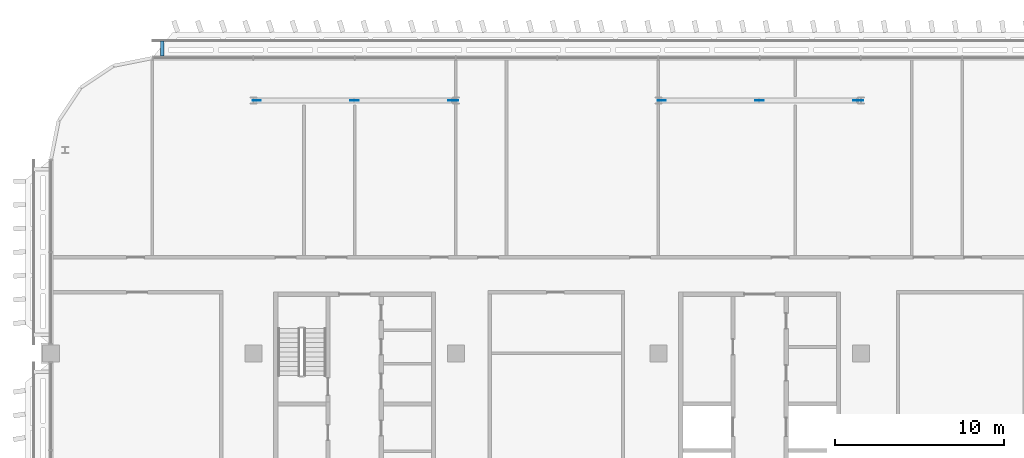
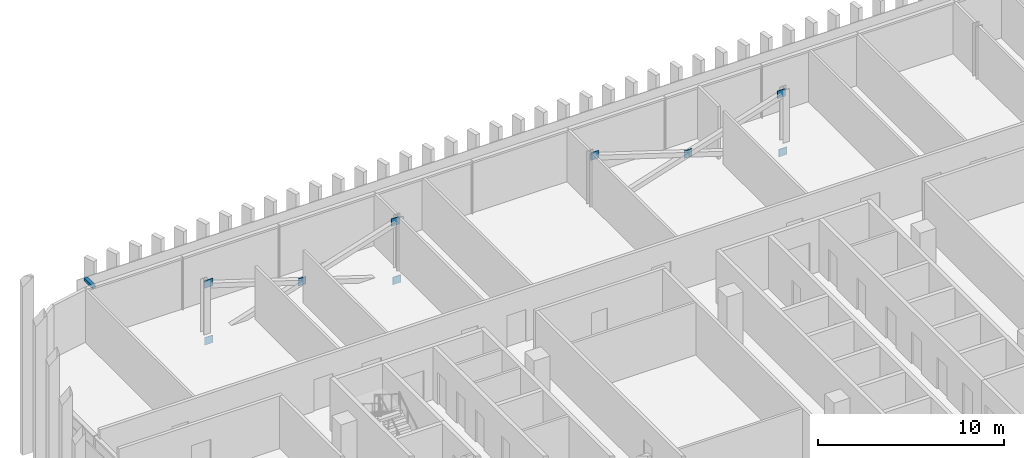
# One storey, part 19 of 30: 10 discrete accessories.
"""IFC4 building model written with IfcOpenShell, lengths in metres."""

from ifc_helpers import new_model, si_unit, direction, frame, origin, origin_2d, place, context, subcontext, project, spatial, rectangle, extrude, material, layer, layer_set, type_object, element, save


model = new_model("IFC4")

# Units and contexts
model_context = context("Model", 3, precision=1e-05, world=origin(), true_north=direction((0.0, 1.0)))
body_context = subcontext(model_context, "Body", "Model", "MODEL_VIEW")
ifc_project = project(units=[si_unit("LENGTHUNIT", "METRE"), si_unit("AREAUNIT", "SQUARE_METRE"), si_unit("VOLUMEUNIT", "CUBIC_METRE"), si_unit("PLANEANGLEUNIT", "RADIAN"), si_unit("MASSUNIT", "GRAM", prefix="KILO")], contexts=[model_context])

# Site, building, storey
site_placement = place(None, origin())
site = spatial("IfcSite", under=ifc_project, at=site_placement, CompositionType="ELEMENT")
building_placement = place(site_placement, origin())
building = spatial("IfcBuilding", under=site, at=building_placement, Name="Mahtab Terrace Research Tower", CompositionType="ELEMENT")
storey_placement = place(building_placement, frame((0.0, 0.0, 228.60009765625)))
storey = spatial("IfcBuildingStorey", under=building, at=storey_placement, Name="L55", CompositionType="ELEMENT", Elevation=228.60009765625)

# Discrete accessories
ifc_material_1 = material(Name="Black anodised aluminium", Category="aluminium")
discrete_accessory_type_1 = type_object("IfcDiscreteAccessoryType", Name="Facade bracket", PredefinedType="BRACKET", material=ifc_material_1)
discrete_accessory_placement = place(storey_placement, frame((-35.39990234375, 29.5625, 3.16015625), z_axis=(0.0, 0.0, 1.0), x_axis=(-1.0, 0.0, 0.0)))
element("IfcDiscreteAccessory", 1, at=discrete_accessory_placement, inside=storey, type_object=discrete_accessory_type_1, Name="Screen bracket Girih screen L55 N4", PredefinedType="BRACKET", context=body_context, shape_type="SweptSolid", body=[
    extrude(rectangle(XDim=0.199951171875, YDim=0.875, at=origin_2d()), origin(), (0.0, 0.0, 1.0), 0.199951171875),
])
ifc_material_2 = material(Name="Steel ASTM A992 Gr 50", Category="steel")
ifc_layer = layer(ifc_material_2, 0.030029296875)
ifc_layer_set = layer_set([ifc_layer], Name="Gusset plate 500x500x30")
discrete_accessory_type_2 = type_object("IfcDiscreteAccessoryType", Name="Gusset plate 500x500x30", PredefinedType="USERDEFINED", material=ifc_layer_set)
for number, where, z_axis, x_axis, name in (
    (2, (-29.800537109375, 26.472900390625, -0.83056640625), (0.0, 0.0, 1.0), (1.0, 0.0, 0.0), "Gusset plate"),
    (3, (-29.800537109375, 26.472900390625, 2.906494140625), (0.0, 0.0, 1.0), (1.0, 0.0, 0.0), "Gusset plate"),
    (4, (-24.0, 26.472900390625, 1.00634765625), (0.0, 0.0, 1.0), (1.0, 0.0, 0.0), "Gusset plate"),
    (5, (-18.099609375, 26.472900390625, -0.96044921875), (0.0, 0.0, 1.0), (1.0, 0.0, 0.0), "Gusset plate"),
    (6, (-18.199462890625, 26.472900390625, 2.906494140625), (0.0, 0.0, 1.0), (1.0, 0.0, 0.0), "Gusset plate"),
    (7, (-5.800537109375, 26.472900390625, 2.906494140625), (0.0, 0.0, 1.0), (1.0, 0.0, 0.0), "Gusset plate"),
    (8, (0.0, 26.472900390625, 1.00634765625), (0.0, 0.0, 1.0), (1.0, 0.0, 0.0), "Gusset plate"),
    (9, (5.900390625, 26.472900390625, -0.96044921875), (0.0, 0.0, 1.0), (1.0, 0.0, 0.0), "Gusset plate"),
    (10, (5.800537109375, 26.472900390625, 2.906494140625), (0.0, 0.0, 1.0), (1.0, 0.0, 0.0), "Gusset plate"),
):
    element("IfcDiscreteAccessory", number, at=place(storey_placement, frame(where, z_axis=z_axis, x_axis=x_axis)), inside=storey, type_object=discrete_accessory_type_2, Name=name, ObjectType="GUSSET PLATE", PredefinedType="USERDEFINED", context=body_context, shape_type="SweptSolid", body=[
        extrude(rectangle(XDim=0.5, YDim=0.030029296875, at=origin_2d()), origin(), (0.0, 0.0, 1.0), 0.5),
    ])

save(model, "model.ifc")
